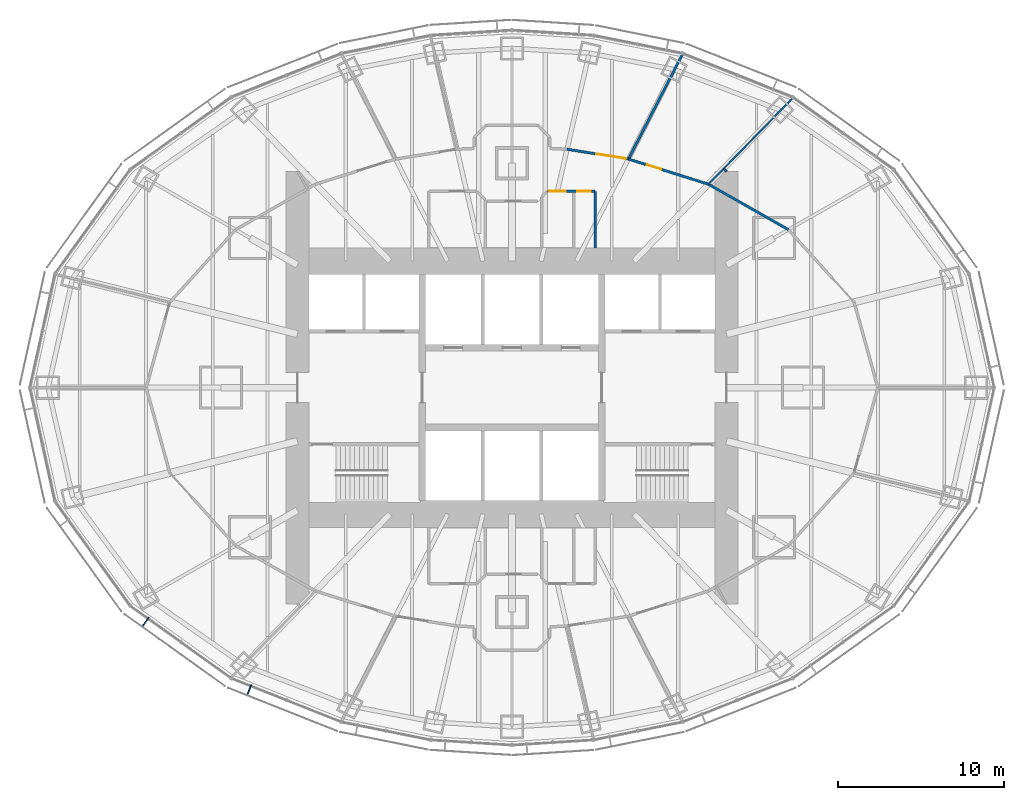
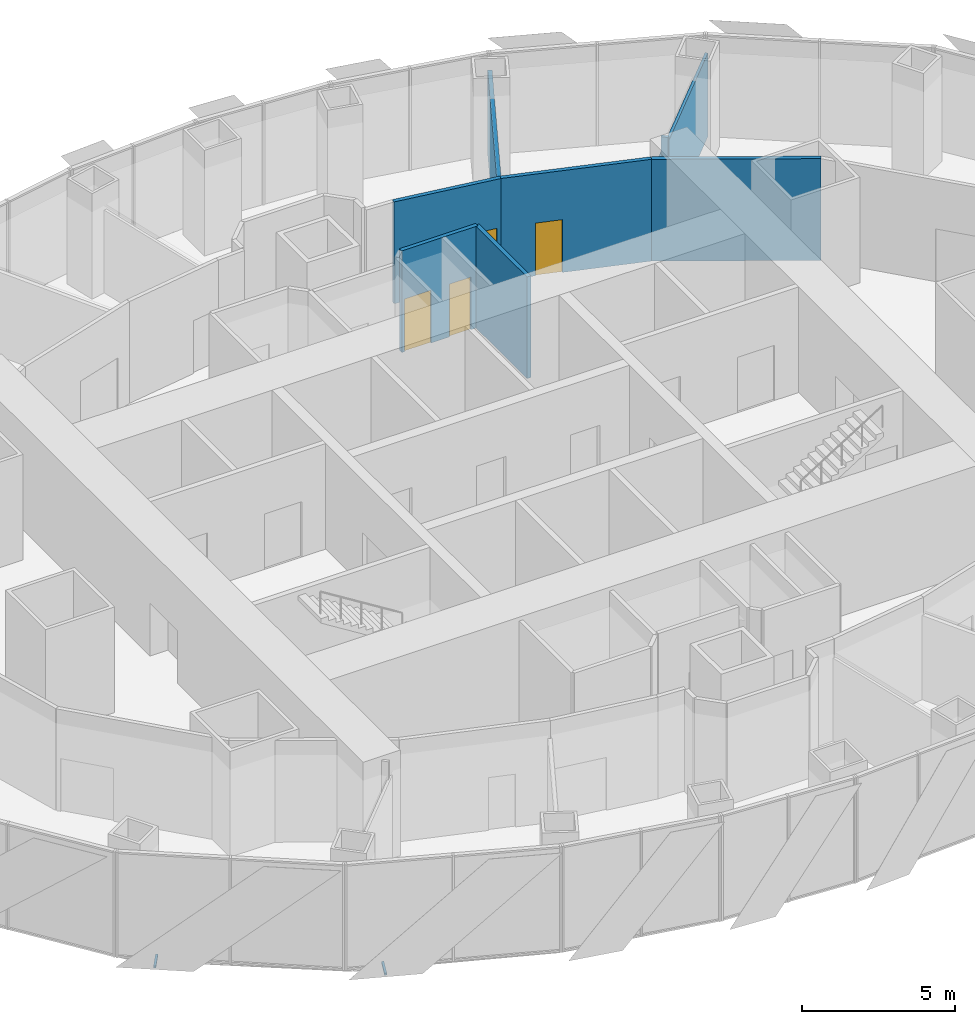
# One storey, part 13 of 18: 8 walls, 4 doors, 2 discrete accessories, 4 openings.
"""IFC4 building model written with IfcOpenShell, lengths in metres."""

from ifc_helpers import new_model, si_unit, direction, frame, frame_2d, origin, origin_2d, place, context, subcontext, project, spatial, rectangle, extrude, material, layer, layer_set, type_object, element, fill, save


model = new_model("IFC4")

# Units and contexts
model_context = context("Model", 3, precision=1e-05, world=origin(), true_north=direction((0.0, 1.0)))
body_context = subcontext(model_context, "Body", "Model", "MODEL_VIEW")
ifc_project = project(units=[si_unit("LENGTHUNIT", "METRE"), si_unit("AREAUNIT", "SQUARE_METRE"), si_unit("VOLUMEUNIT", "CUBIC_METRE"), si_unit("PLANEANGLEUNIT", "RADIAN"), si_unit("MASSUNIT", "GRAM", prefix="KILO")], contexts=[model_context])

# Site, building, storey
site_placement = place(None, origin())
site = spatial("IfcSite", under=ifc_project, at=site_placement, CompositionType="ELEMENT")
building_placement = place(site_placement, origin())
building = spatial("IfcBuilding", under=site, at=building_placement, Name="Lantaw Convention Tower", CompositionType="ELEMENT")
storey_placement = place(building_placement, frame((0.0, 0.0, 167.800048828125)))
storey = spatial("IfcBuildingStorey", under=building, at=storey_placement, Name="L39", CompositionType="ELEMENT", Elevation=167.800048828125)

# Wall
ifc_material_1 = material(Name="Gypsum board on steel studs, fire rated", Category="steel")
ifc_layer_1 = layer(ifc_material_1, 0.14990234375)
ifc_layer_set_1 = layer_set([ifc_layer_1], Name="Corridor wall 150 EI 60")
wall_type_1 = type_object("IfcWallType", Name="Corridor wall 150 EI 60", PredefinedType="PARTITIONING", material=ifc_layer_set_1)
wall_1_placement = place(storey_placement, frame((16.62255859375, 9.49853515625, 0.0), z_axis=(0.0, 0.0, 1.0), x_axis=(-0.869375991036, 0.494151177485, 0.0)))
element("IfcWall", 1, at=wall_1_placement, inside=storey, type_object=wall_type_1, Name="Corridor wall 150", PredefinedType="PARTITIONING", context=body_context, shape_type="SweptSolid", body=[
    extrude(rectangle(XDim=5.532470703125, YDim=0.14990234375, at=frame_2d((2.76611328125, 0.0))), origin(), (0.0, 0.0, 1.0), 4.050048828125),
])

# Wall, opening, door
wall_2_placement = place(storey_placement, frame((11.812744140625, 12.232421875, 0.0), z_axis=(0.0, 0.0, 1.0), x_axis=(-0.953893934057, 0.300143903101, 0.0)))
wall_2 = element("IfcWall", 2, at=wall_2_placement, inside=storey, type_object=wall_type_1, Name="Corridor wall 150", PredefinedType="PARTITIONING", context=body_context, shape_type="SweptSolid", body=[
    extrude(rectangle(XDim=5.04150390625, YDim=0.14990234375, at=frame_2d((2.520751953125, 0.0))), origin(), (0.0, 0.0, 1.0), 4.050048828125),
])
opening_1_placement = place(wall_2_placement, frame((2.98046875, 0.0, 0.0)))
opening_1 = element("IfcOpeningElement", 3, at=opening_1_placement, cuts=wall_2, Name="Opening L39.23", PredefinedType="OPENING", context=body_context, shape_type="SweptSolid", body=[
    extrude(rectangle(XDim=0.89990234375, YDim=2.10009765625, at=frame_2d((0.449951171875, 1.050048828125))), frame((0.0, 0.0849609375, 0.0), z_axis=(0.0, -1.0, 0.0), x_axis=(1.0, 0.0, 0.0)), (0.0, 0.0, 1.0), 0.169921875),
])
ifc_material_2 = material(Name="Steel, fire rated", Category="steel")
door_type_1 = type_object("IfcDoorType", Name="Office door 900 FD30", OperationType="SINGLE_SWING_LEFT", PredefinedType="DOOR", material=ifc_material_2)
door_1_placement = place(opening_1_placement, origin())
door_1 = element("IfcDoor", 4, at=door_1_placement, inside=storey, type_object=door_type_1, Name="Meeting room door", OperationType="SINGLE_SWING_LEFT", OverallHeight=2.10009765625, OverallWidth=0.89990234375, PredefinedType="DOOR", context=body_context, shape_type="SweptSolid", body=[
    extrude(rectangle(XDim=0.89990234375, YDim=2.10009765625, at=frame_2d((0.449951171875, 1.050048828125))), frame((0.0, 0.02490234375, 0.0), z_axis=(0.0, -1.0, 0.0), x_axis=(1.0, 0.0, 0.0)), (0.0, 0.0, 1.0), 0.050048828125),
])
fill(opening_1, door_1)

wall_3_placement = place(storey_placement, frame((7.003662109375, 13.74560546875, 0.0), z_axis=(0.0, 0.0, 1.0), x_axis=(-0.987511396594, 0.157547585181, 0.0)))
wall_3 = element("IfcWall", 5, at=wall_3_placement, inside=storey, type_object=wall_type_1, Name="Corridor wall 150", PredefinedType="PARTITIONING", context=body_context, shape_type="SweptSolid", body=[
    extrude(rectangle(XDim=3.74072265625, YDim=0.14990234375, at=frame_2d((1.870361328125, 0.0))), origin(), (0.0, 0.0, 1.0), 4.050048828125),
])
opening_2_placement = place(wall_3_placement, frame((0.14990234375, 0.0, 0.0)))
opening_2 = element("IfcOpeningElement", 6, at=opening_2_placement, cuts=wall_3, Name="Opening L39.24", PredefinedType="OPENING", context=body_context, shape_type="SweptSolid", body=[
    extrude(rectangle(XDim=1.800048828125, YDim=2.10009765625, at=frame_2d((0.89990234375, 1.050048828125))), frame((0.0, 0.0849609375, 0.0), z_axis=(0.0, -1.0, 0.0), x_axis=(1.0, 0.0, 0.0)), (0.0, 0.0, 1.0), 0.169921875),
])
door_type_2 = type_object("IfcDoorType", Name="Office double door 1800 FD30", OperationType="DOUBLE_DOOR_DOUBLE_SWING", PredefinedType="DOOR", material=ifc_material_2)
door_2_placement = place(opening_2_placement, origin())
door_2 = element("IfcDoor", 7, at=door_2_placement, inside=storey, type_object=door_type_2, Name="Tenant suite door", OperationType="DOUBLE_DOOR_DOUBLE_SWING", OverallHeight=2.10009765625, OverallWidth=1.800048828125, PredefinedType="DOOR", context=body_context, shape_type="SweptSolid", body=[
    extrude(rectangle(XDim=1.800048828125, YDim=2.10009765625, at=frame_2d((0.89990234375, 1.050048828125))), frame((0.0, 0.02490234375, 0.0), z_axis=(0.0, -1.0, 0.0), x_axis=(1.0, 0.0, 0.0)), (0.0, 0.0, 1.0), 0.050048828125),
])
fill(opening_2, door_2)

# Walls
ifc_material_3 = material(Name="Gypsum board on steel studs, acoustic", Category="steel")
ifc_layer_2 = layer(ifc_material_3, 0.10009765625)
ifc_layer_set_2 = layer_set([ifc_layer_2], Name="Office partition 100")
wall_type_2 = type_object("IfcWallType", Name="Office partition 100", PredefinedType="PARTITIONING", material=ifc_layer_set_2)
wall_4_placement = place(storey_placement, frame((16.88232421875, 17.413818359375, 0.0), z_axis=(0.0, 0.0, 1.0), x_axis=(-0.699352142517, -0.714777294517, 0.0)))
element("IfcWall", 8, at=wall_4_placement, inside=storey, type_object=wall_type_2, Name="Office partition 100", PredefinedType="PARTITIONING", context=body_context, shape_type="SweptSolid", body=[
    extrude(rectangle(XDim=7.2490234375, YDim=0.10009765625, at=frame_2d((3.62451171875, 0.0))), origin(), (0.0, 0.0, 1.0), 3.321044921875),
])
wall_5_placement = place(storey_placement, frame((12.89990234375, 13.0, 0.0), z_axis=(0.0, 0.0, 1.0), x_axis=(-0.714690391061, 0.699440951707, 0.0)))
element("IfcWall", 9, at=wall_5_placement, inside=storey, type_object=wall_type_2, Name="Office partition 100", PredefinedType="PARTITIONING", context=body_context, shape_type="SweptSolid", body=[
    extrude(rectangle(XDim=0.240234375, YDim=0.10009765625, at=frame_2d((0.1201171875, 0.0))), origin(), (0.0, 0.0, 1.0), 4.050048828125),
])
ifc_layer_3 = layer(ifc_material_1, 0.14990234375)
ifc_layer_set_3 = layer_set([ifc_layer_3], Name="Tenant separation wall 150 EI 60")
wall_type_3 = type_object("IfcWallType", Name="Tenant separation wall 150 EI 60", PredefinedType="PARTITIONING", material=ifc_layer_set_3)
wall_6_placement = place(storey_placement, frame((10.25341796875, 20.0517578125, 0.0), z_axis=(0.0, 0.0, 1.0), x_axis=(-0.458082677592, -0.888909590729, 0.0)))
element("IfcWall", 10, at=wall_6_placement, inside=storey, type_object=wall_type_3, Name="Tenant separation wall 150", PredefinedType="PARTITIONING", context=body_context, shape_type="SweptSolid", body=[
    extrude(rectangle(XDim=7.09423828125, YDim=0.14990234375, at=frame_2d((3.547119140625, 0.0))), origin(), (0.0, 0.0, 1.0), 3.348876953125),
])
ifc_material_4 = material(Name="Concrete blockwork", Category="masonry")
ifc_layer_4 = layer(ifc_material_4, 0.14990234375)
ifc_layer_set_4 = layer_set([ifc_layer_4], Name="WC wall 150")
wall_type_4 = type_object("IfcWallType", Name="WC wall 150", PredefinedType="SOLIDWALL", material=ifc_layer_set_4)
wall_7_placement = place(storey_placement, frame((5.0, 8.39990234375, 0.0), z_axis=(0.0, 0.0, 1.0), x_axis=(0.0, 1.0, 0.0)))
element("IfcWall", 11, at=wall_7_placement, inside=storey, type_object=wall_type_4, Name="WC wall 150", PredefinedType="SOLIDWALL", context=body_context, shape_type="SweptSolid", body=[
    extrude(rectangle(XDim=3.400146484375, YDim=0.14990234375, at=frame_2d((1.7001953125, 0.0))), origin(), (0.0, 0.0, 1.0), 4.050048828125),
])

# Wall, openings, doors
wall_8_placement = place(storey_placement, frame((2.13134765625, 11.800048828125, 0.0), z_axis=(0.0, 0.0, 1.0), x_axis=(1.0, 0.0, 0.0)))
wall_8 = element("IfcWall", 12, at=wall_8_placement, inside=storey, type_object=wall_type_4, Name="WC wall 150", PredefinedType="SOLIDWALL", context=body_context, shape_type="SweptSolid", body=[
    extrude(rectangle(XDim=2.86865234375, YDim=0.14990234375, at=frame_2d((1.434326171875, 0.0))), origin(), (0.0, 0.0, 1.0), 4.050048828125),
])
opening_3_placement = place(wall_8_placement, frame((0.10009765625, 0.0, 0.0)))
opening_3 = element("IfcOpeningElement", 13, at=opening_3_placement, cuts=wall_8, Name="Opening L39.16", PredefinedType="OPENING", context=body_context, shape_type="SweptSolid", body=[
    extrude(rectangle(XDim=1.0, YDim=2.10009765625, at=frame_2d((0.5, 1.050048828125))), frame((0.0, 0.0849609375, 0.0), z_axis=(0.0, -1.0, 0.0), x_axis=(1.0, 0.0, 0.0)), (0.0, 0.0, 1.0), 0.169921875),
])
opening_4_placement = place(wall_8_placement, frame((1.800048828125, 0.0, 0.0)))
opening_4 = element("IfcOpeningElement", 14, at=opening_4_placement, cuts=wall_8, Name="Opening L39.17", PredefinedType="OPENING", context=body_context, shape_type="SweptSolid", body=[
    extrude(rectangle(XDim=0.800048828125, YDim=2.10009765625, at=frame_2d((0.39990234375, 1.050048828125))), frame((0.0, 0.0849609375, 0.0), z_axis=(0.0, -1.0, 0.0), x_axis=(1.0, 0.0, 0.0)), (0.0, 0.0, 1.0), 0.169921875),
])
ifc_material_5 = material(Name="Timber", Category="wood")
door_type_3 = type_object("IfcDoorType", Name="Accessible WC door 1000", OperationType="SINGLE_SWING_LEFT", PredefinedType="DOOR", material=ifc_material_5)
door_3_placement = place(opening_3_placement, origin())
door_3 = element("IfcDoor", 15, at=door_3_placement, inside=storey, type_object=door_type_3, Name="Accessible WC door", OperationType="SINGLE_SWING_LEFT", OverallHeight=2.10009765625, OverallWidth=1.0, PredefinedType="DOOR", context=body_context, shape_type="SweptSolid", body=[
    extrude(rectangle(XDim=1.0, YDim=2.10009765625, at=frame_2d((0.5, 1.050048828125))), frame((0.0, 0.02490234375, 0.0), z_axis=(0.0, -1.0, 0.0), x_axis=(1.0, 0.0, 0.0)), (0.0, 0.0, 1.0), 0.050048828125),
])
fill(opening_3, door_3)
door_type_4 = type_object("IfcDoorType", Name="WC door 800", OperationType="SINGLE_SWING_LEFT", PredefinedType="DOOR", material=ifc_material_5)
door_4_placement = place(opening_4_placement, origin())
door_4 = element("IfcDoor", 16, at=door_4_placement, inside=storey, type_object=door_type_4, Name="Cleaner's store door", OperationType="SINGLE_SWING_LEFT", OverallHeight=2.10009765625, OverallWidth=0.800048828125, PredefinedType="DOOR", context=body_context, shape_type="SweptSolid", body=[
    extrude(rectangle(XDim=0.800048828125, YDim=2.10009765625, at=frame_2d((0.39990234375, 1.050048828125))), frame((0.0, 0.02490234375, 0.0), z_axis=(0.0, -1.0, 0.0), x_axis=(1.0, 0.0, 0.0)), (0.0, 0.0, 1.0), 0.050048828125),
])
fill(opening_4, door_4)

# Discrete accessories
for number, where, z_axis, x_axis, name in (
    (17, (-22.044189453125, -14.10546875, -0.114990234375), (0.0, 0.0, 1.0), (0.813208325995, -0.581972695693, 0.0), "Screen bracket"),
    (18, (-15.802978515625, -18.18798828125, -0.114990234375), (0.0, 0.0, 1.0), (0.929547687544, -0.368701907483, 0.0), "Screen bracket"),
):
    element("IfcDiscreteAccessory", number, at=place(storey_placement, frame(where, z_axis=z_axis, x_axis=x_axis)), inside=storey, Name=name, PredefinedType="BRACKET", context=body_context, shape_type="SweptSolid", body=[
        extrude(rectangle(XDim=0.080078125, YDim=0.68798828125, at=origin_2d()), origin(), (0.0, 0.0, 1.0), 0.080078125),
    ])

save(model, "model.ifc")
